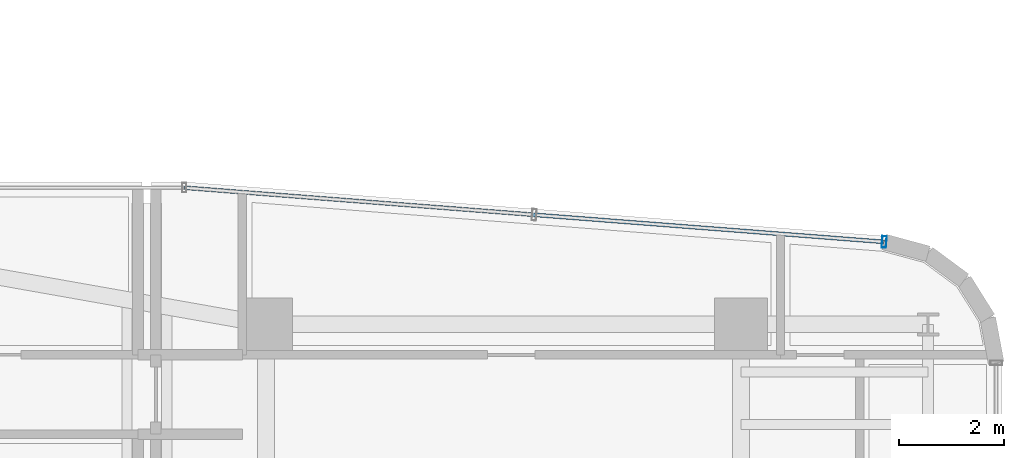
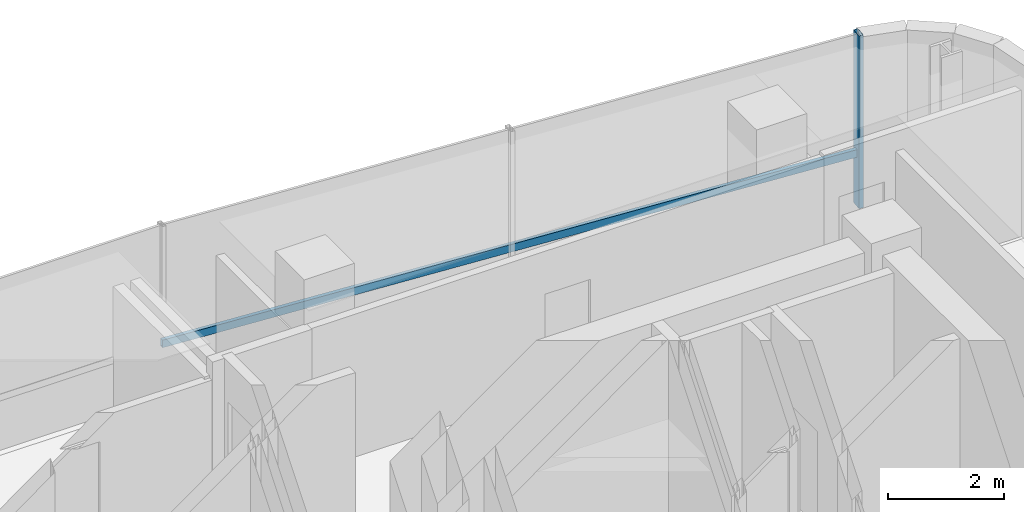
# One storey, part 24 of 39: 2 members, 1 element without a shape of its own.
"""IFC4 building model written with IfcOpenShell, lengths in metres."""

from ifc_helpers import new_model, si_unit, direction, frame, origin, origin_2d, place, context, subcontext, project, spatial, hollow_rectangle, extrude, source, transform, mapped, material, material_profile, profile_set, type_object, element, aggregate, save


model = new_model("IFC4")

# Units and contexts
model_context = context("Model", 3, precision=1e-05, world=origin(), true_north=direction((0.0, 1.0)))
body_context = subcontext(model_context, "Body", "Model", "MODEL_VIEW")
ifc_project = project(units=[si_unit("LENGTHUNIT", "METRE"), si_unit("AREAUNIT", "SQUARE_METRE"), si_unit("VOLUMEUNIT", "CUBIC_METRE"), si_unit("PLANEANGLEUNIT", "RADIAN"), si_unit("MASSUNIT", "GRAM", prefix="KILO")], contexts=[model_context])

# Site, building, storey
site_placement = place(None, origin())
site = spatial("IfcSite", under=ifc_project, at=site_placement, CompositionType="ELEMENT")
building_placement = place(site_placement, origin())
building = spatial("IfcBuilding", under=site, at=building_placement, Name="Valdorenza Pilgrim Sanctuary Tower", CompositionType="ELEMENT")
storey_placement = place(building_placement, frame((0.0, 0.0, 184.449951171875)))
storey = spatial("IfcBuildingStorey", under=building, at=storey_placement, Name="L47", CompositionType="ELEMENT", Elevation=184.449951171875)

# Curtain wall, members
ifc_material_1 = material(Name="Curtain-wall IGU glazing", Category="glass")
curtain_wall_type = type_object("IfcCurtainWallType", Name="CW-SYS-03", PredefinedType="NOTDEFINED", material=ifc_material_1)
curtain_wall_placement = place(storey_placement, origin())
curtain_wall = element("IfcCurtainWall", 1, at=curtain_wall_placement, inside=storey, type_object=curtain_wall_type, Name="L47 Curtain Wall CW-L47-1-32", PredefinedType="NOTDEFINED")
ifc_material_2 = material(Name="Anodised aluminium AW-6060", Category="aluminium")
ifc_material_profile_1 = material_profile(ifc_material_2, hollow_rectangle(XDim=0.074951171875, YDim=0.159912109375, WallThickness=0.00390625, at=origin_2d()), Name="ALU-T 160x75x4")
ifc_profile_set_1 = profile_set([ifc_material_profile_1], Name="Anodised aluminium AW-6060")
member_type_1 = type_object("IfcMemberType", Name="CW-TRN-03", PredefinedType="USERDEFINED", material=ifc_profile_set_1)
shared_shape_1 = source(origin(), body_context, "Body", "SweptSolid", [
    extrude(hollow_rectangle(XDim=0.074951171875, YDim=0.159912109375, WallThickness=0.00390625, at=origin_2d()), origin(), (0.0, 0.0, 1.0), 13.310546875),
])
member_1_placement = place(storey_placement, frame((14.295654296875, 16.090087890625, 1.1201171875), z_axis=(0.997015515781, -0.077201433227, 0.0), x_axis=(0.077201433227, 0.997015515781, 0.0)))
member_1 = element("IfcMember", 2, at=member_1_placement, type_object=member_type_1, Name="CW-L47-1-32 Transom 1", ObjectType="TRANSOM", PredefinedType="USERDEFINED", context=body_context, shape_type="MappedRepresentation", body=[
    mapped(shared_shape_1, transform((0.0, 0.0, 0.0), x_axis=(1.0, 0.0, 0.0), y_axis=(0.0, 1.0, 0.0), z_axis=(0.0, 0.0, 1.0), scale=1.0)),
])
ifc_material_profile_2 = material_profile(ifc_material_2, hollow_rectangle(XDim=0.0849609375, YDim=0.219970703125, WallThickness=0.0048828125, at=origin_2d()), Name="ALU-M 220x85x5")
ifc_profile_set_2 = profile_set([ifc_material_profile_2], Name="Anodised aluminium AW-6060")
member_type_2 = type_object("IfcMemberType", Name="CW-MUL-03", PredefinedType="MULLION", material=ifc_profile_set_2)
shared_shape_2 = source(origin(), body_context, "Body", "SweptSolid", [
    extrude(hollow_rectangle(XDim=0.0849609375, YDim=0.219970703125, WallThickness=0.0048828125, at=origin_2d()), origin(), (0.0, 0.0, 1.0), 3.630126953125),
])
member_2_placement = place(storey_placement, frame((27.56640625, 15.0625, 0.0), z_axis=(0.0, 0.0, 1.0), x_axis=(0.997016488532, -0.077188869631, 0.0)))
member_2 = element("IfcMember", 3, at=member_2_placement, type_object=member_type_2, Name="CW-L47-1-32 Mullion 3", PredefinedType="MULLION", context=body_context, shape_type="MappedRepresentation", body=[
    mapped(shared_shape_2, transform((0.0, 0.0, 0.0), x_axis=(1.0, 0.0, 0.0), y_axis=(0.0, 1.0, 0.0), z_axis=(0.0, 0.0, 1.0), scale=1.0)),
])
aggregate(curtain_wall, [member_2, member_1])

save(model, "model.ifc")
